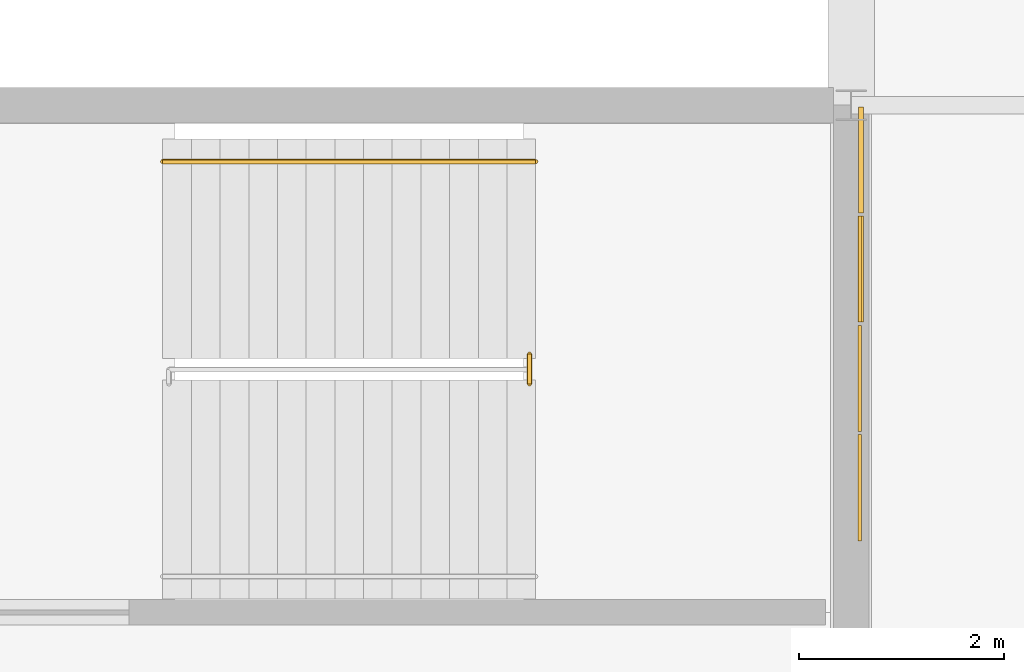
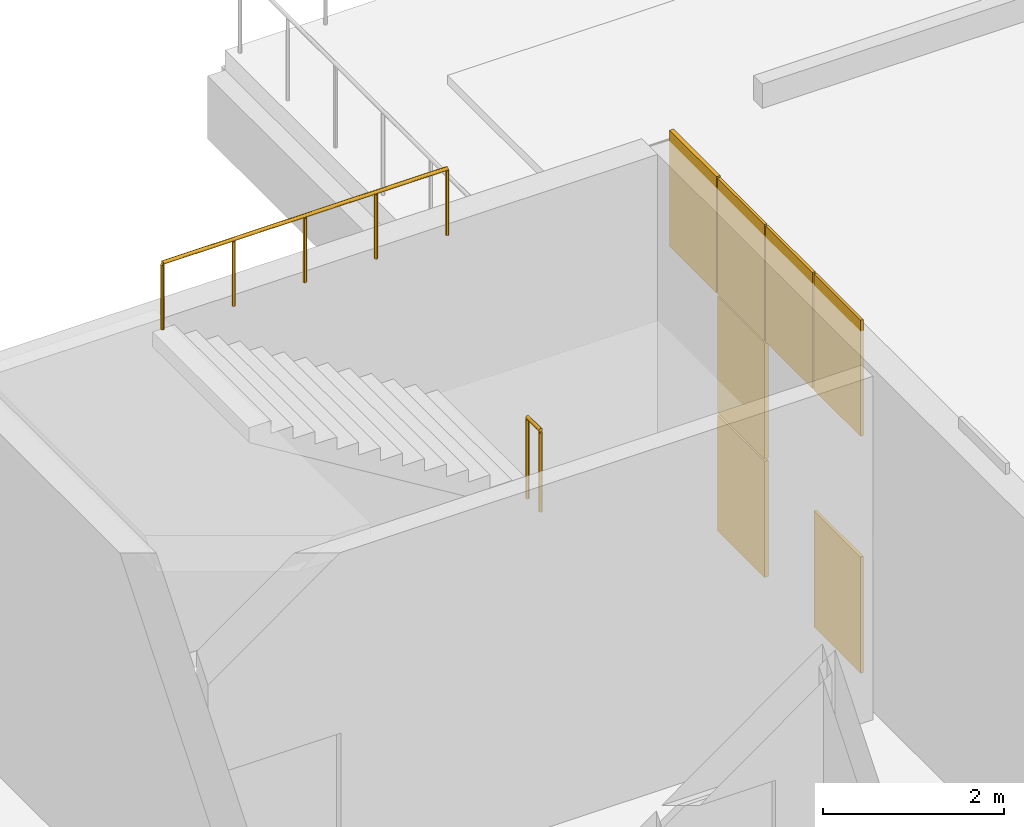
# One storey, part 66 of 66: 7 coverings, 2 railings.
"""IFC4 building model written with IfcOpenShell, lengths in metres."""

from ifc_helpers import new_model, si_unit, direction, frame, origin, origin_2d, place, context, subcontext, project, spatial, rectangle, circle, extrude, material, layer, layer_set, type_object, element, save


model = new_model("IFC4")

# Units and contexts
model_context = context("Model", 3, precision=1e-05, world=origin(), true_north=direction((0.0, 1.0)))
body_context = subcontext(model_context, "Body", "Model", "MODEL_VIEW")
ifc_project = project(units=[si_unit("LENGTHUNIT", "METRE"), si_unit("AREAUNIT", "SQUARE_METRE"), si_unit("VOLUMEUNIT", "CUBIC_METRE"), si_unit("PLANEANGLEUNIT", "RADIAN"), si_unit("MASSUNIT", "GRAM", prefix="KILO")], contexts=[model_context])

# Site, building, storey
site_placement = place(None, origin())
site = spatial("IfcSite", under=ifc_project, at=site_placement, CompositionType="ELEMENT")
building_placement = place(site_placement, origin())
building = spatial("IfcBuilding", under=site, at=building_placement, Name="Solvikara Media Centre", CompositionType="ELEMENT")
storey_placement = place(building_placement, frame((0.0, 0.0, 19.800048828125)))
storey = spatial("IfcBuildingStorey", under=building, at=storey_placement, Name="L04", CompositionType="ELEMENT", Elevation=19.800048828125)

# Coverings
ifc_material_1 = material(Name="GFRC white mineral architectural rainscreen panel")
ifc_layer_1 = layer(ifc_material_1, 0.050048828125)
ifc_layer_set_1 = layer_set([ifc_layer_1], Name="GFRC white mineral architectural rainscreen panel")
covering_type_1 = type_object("IfcCoveringType", Name="CV-04", PredefinedType="CLADDING", material=ifc_layer_set_1)
for number, where, z_axis, x_axis, name in (
    (1, (136.593994140625, 35.199951171875, 0.01513671875), (0.0, 0.0, 1.0), (0.0, 1.0, 0.0), "SHM-L04-C4E-SF-100"),
    (2, (136.593994140625, 35.199951171875, 1.61474609375), (0.0, 0.0, 1.0), (0.0, 1.0, 0.0), "SHM-L04-C4E-SF-101"),
):
    element("IfcCovering", number, at=place(storey_placement, frame(where, z_axis=z_axis, x_axis=x_axis)), inside=storey, type_object=covering_type_1, Name=name, PredefinedType="CLADDING", context=body_context, shape_type="SweptSolid", body=[
        extrude(rectangle(XDim=1.035888671875, YDim=0.050048828125, at=origin_2d()), origin(), (0.0, 0.0, 1.0), 1.570068359375),
    ])
covering_1_placement = place(storey_placement, frame((136.593994140625, 36.26611328125, 3.21484375), z_axis=(0.0, 0.0, 1.0), x_axis=(0.0, 1.0, 0.0)))
element("IfcCovering", 3, at=covering_1_placement, inside=storey, type_object=covering_type_1, Name="SHM-L04-C4E-SF-112", PredefinedType="CLADDING", context=body_context, shape_type="SweptSolid", body=[
    extrude(rectangle(XDim=1.037109375, YDim=0.050048828125, at=origin_2d()), origin(), (0.0, 0.0, 1.0), 1.570068359375),
])
ifc_material_2 = material(Name="Insulated silver-pearl glass spandrel panel", Category="glass")
ifc_layer_2 = layer(ifc_material_2, 0.034912109375)
ifc_layer_set_2 = layer_set([ifc_layer_2], Name="Insulated silver-pearl glass spandrel panel")
covering_type_2 = type_object("IfcCoveringType", Name="CV-06", PredefinedType="CLADDING", material=ifc_layer_set_2)
for number, where, z_axis, x_axis, name in (
    (4, (136.583984375, 33.06689453125, 0.01513671875), (0.0, 0.0, 1.0), (0.0, 1.0, 0.0), "SHM-L04-C4E-PX-80"),
    (5, (136.583984375, 33.06689453125, 3.21484375), (0.0, 0.0, 1.0), (0.0, 1.0, 0.0), "SHM-L04-C4E-PX-82"),
    (6, (136.583984375, 34.133056640625, 3.21484375), (0.0, 0.0, 1.0), (0.0, 1.0, 0.0), "SHM-L04-C4E-PX-92"),
):
    element("IfcCovering", number, at=place(storey_placement, frame(where, z_axis=z_axis, x_axis=x_axis)), inside=storey, type_object=covering_type_2, Name=name, PredefinedType="CLADDING", context=body_context, shape_type="SweptSolid", body=[
        extrude(rectangle(XDim=1.037109375, YDim=0.034912109375, at=origin_2d()), origin(), (0.0, 0.0, 1.0), 1.570068359375),
    ])
covering_2_placement = place(storey_placement, frame((136.583984375, 35.199951171875, 3.21484375), z_axis=(0.0, 0.0, 1.0), x_axis=(0.0, 1.0, 0.0)))
element("IfcCovering", 7, at=covering_2_placement, inside=storey, type_object=covering_type_2, Name="SHM-L04-C4E-PX-102", PredefinedType="CLADDING", context=body_context, shape_type="SweptSolid", body=[
    extrude(rectangle(XDim=1.035888671875, YDim=0.034912109375, at=origin_2d()), origin(), (0.0, 0.0, 1.0), 1.570068359375),
])

# Railings
ifc_material_3 = material(Name="Steel S355JR", Category="steel")
railing_type_1 = type_object("IfcRailingType", Name="GR-02", PredefinedType="BALUSTRADE", material=ifc_material_3)
railing_1_placement = place(storey_placement, frame((133.360107421875, 34.080078125, 2.39990234375)))
element("IfcRailing", 8, at=railing_1_placement, inside=storey, type_object=railing_type_1, Name="GR-C4-L04-M", PredefinedType="BALUSTRADE", context=body_context, shape_type="SweptSolid", body=[
    extrude(circle(Radius=0.02392578125, at=origin_2d()), frame((0.0, 0.0, 1.09619140625), z_axis=(0.0, 1.0, 0.0), x_axis=(-1.0, 0.0, 0.0)), (0.0, 0.0, 1.0), 0.2900390625),
    extrude(circle(Radius=0.02099609375, at=origin_2d()), origin(), (0.0, 0.0, 1.0), 1.072021484375),
    extrude(circle(Radius=0.02099609375, at=origin_2d()), frame((0.0, 0.2900390625, 0.0)), (0.0, 0.0, 1.0), 1.072021484375),
])
railing_type_2 = type_object("IfcRailingType", Name="HR-01", PredefinedType="HANDRAIL", material=ifc_material_3)
railing_2_placement = place(storey_placement, frame((133.419921875, 36.25, 4.800048828125)))
element("IfcRailing", 9, at=railing_2_placement, inside=storey, type_object=railing_type_2, Name="HR-C4-L04-2", PredefinedType="HANDRAIL", context=body_context, shape_type="SweptSolid", body=[
    extrude(circle(Radius=0.02392578125, at=origin_2d()), frame((0.0, 0.0, 0.89599609375), z_axis=(-1.0, 0.0, 0.0), x_axis=(0.0, -1.0, 0.0)), (0.0, 0.0, 1.0), 3.639892578125),
    extrude(circle(Radius=0.02099609375, at=origin_2d()), origin(), (0.0, 0.0, 1.0), 0.871826171875),
    extrude(circle(Radius=0.02099609375, at=origin_2d()), frame((-0.909912109375, 0.0, 0.0)), (0.0, 0.0, 1.0), 0.871826171875),
    extrude(circle(Radius=0.02099609375, at=origin_2d()), frame((-1.81982421875, 0.0, 0.0)), (0.0, 0.0, 1.0), 0.871826171875),
    extrude(circle(Radius=0.02099609375, at=origin_2d()), frame((-2.72998046875, 0.0, 0.0)), (0.0, 0.0, 1.0), 0.871826171875),
    extrude(circle(Radius=0.02099609375, at=origin_2d()), frame((-3.639892578125, 0.0, 0.0)), (0.0, 0.0, 1.0), 0.871826171875),
])

save(model, "model.ifc")
